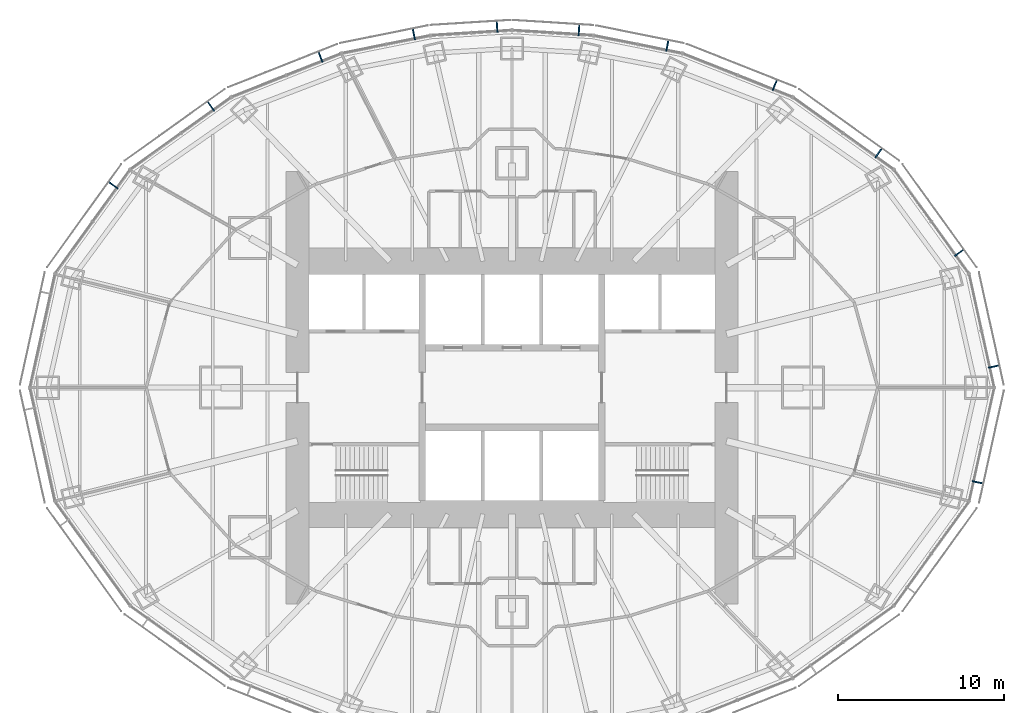
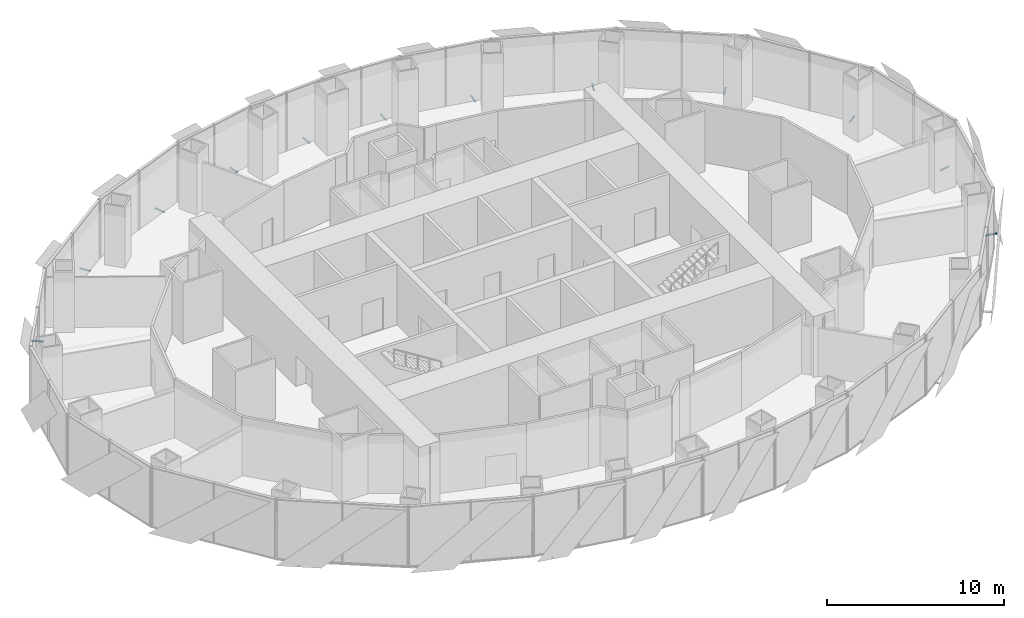
# One storey, part 14 of 17: 12 discrete accessories.
"""IFC4 building model written with IfcOpenShell, lengths in metres."""

from ifc_helpers import new_model, si_unit, direction, frame, origin, origin_2d, place, context, subcontext, project, spatial, rectangle, extrude, element, save


model = new_model("IFC4")

# Units and contexts
model_context = context("Model", 3, precision=1e-05, world=origin(), true_north=direction((0.0, 1.0)))
body_context = subcontext(model_context, "Body", "Model", "MODEL_VIEW")
ifc_project = project(units=[si_unit("LENGTHUNIT", "METRE"), si_unit("AREAUNIT", "SQUARE_METRE"), si_unit("VOLUMEUNIT", "CUBIC_METRE"), si_unit("PLANEANGLEUNIT", "RADIAN"), si_unit("MASSUNIT", "GRAM", prefix="KILO")], contexts=[model_context])

# Site, building, storey
site_placement = place(None, origin())
site = spatial("IfcSite", under=ifc_project, at=site_placement, CompositionType="ELEMENT")
building_placement = place(site_placement, origin())
building = spatial("IfcBuilding", under=site, at=building_placement, Name="Lantaw Convention Tower", CompositionType="ELEMENT")
storey_placement = place(building_placement, frame((0.0, 0.0, 125.800048828125)))
storey = spatial("IfcBuildingStorey", under=building, at=storey_placement, Name="L29", CompositionType="ELEMENT", Elevation=125.800048828125)

# Discrete accessories
for number, where, z_axis, x_axis, name in (
    (1, (28.98486328125, 1.269775390625, -0.114990234375), (0.0, 0.0, 1.0), (-0.215546166174, 0.9764936509, 0.0), "Screen bracket"),
    (2, (26.900146484375, 8.111572265625, -0.114990234375), (0.0, 0.0, 1.0), (-0.584512597221, 0.811384633629, 0.0), "Screen bracket"),
    (3, (22.044189453125, 14.10546875, -0.114990234375), (0.0, 0.0, 1.0), (-0.813208325995, 0.581972695693, 0.0), "Screen bracket"),
    (4, (15.802978515625, 18.18798828125, -0.114990234375), (0.0, 0.0, 1.0), (-0.929547687544, 0.368701907483, 0.0), "Screen bracket"),
    (5, (9.339599609375, 20.56005859375, -0.114990234375), (0.0, 0.0, 1.0), (-0.980301514912, 0.197506809659, 0.0), "Screen bracket"),
    (6, (4.027099609375, 21.505859375, -0.114990234375), (0.0, 0.0, 1.0), (-0.998022035978, 0.062865059466, 0.0), "Screen bracket"),
    (7, (-0.89794921875, 21.702880859375, -0.114990234375), (0.0, 0.0, 1.0), (-0.998022035978, -0.062865059466, 0.0), "Screen bracket"),
    (8, (-5.903076171875, 21.25244140625, -0.114990234375), (0.0, 0.0, 1.0), (-0.980301514912, -0.197506809659, 0.0), "Screen bracket"),
    (9, (-11.517822265625, 19.887939453125, -0.114990234375), (0.0, 0.0, 1.0), (-0.929547687544, -0.368701907483, 0.0), "Screen bracket"),
    (10, (-18.10791015625, 16.922607421875, -0.114990234375), (0.0, 0.0, 1.0), (-0.813208325995, -0.581972695693, 0.0), "Screen bracket"),
    (11, (-23.9765625, 12.169677734375, -0.114990234375), (0.0, 0.0, 1.0), (-0.584512597221, -0.811384633629, 0.0), "Screen bracket"),
    (12, (28.008056640625, -5.6953125, -0.114990234375), (0.0, 0.0, 1.0), (0.215546166174, 0.9764936509, 0.0), "Screen bracket"),
):
    element("IfcDiscreteAccessory", number, at=place(storey_placement, frame(where, z_axis=z_axis, x_axis=x_axis)), inside=storey, Name=name, PredefinedType="BRACKET", context=body_context, shape_type="SweptSolid", body=[
        extrude(rectangle(XDim=0.080078125, YDim=0.68798828125, at=origin_2d()), origin(), (0.0, 0.0, 1.0), 0.080078125),
    ])

save(model, "model.ifc")
